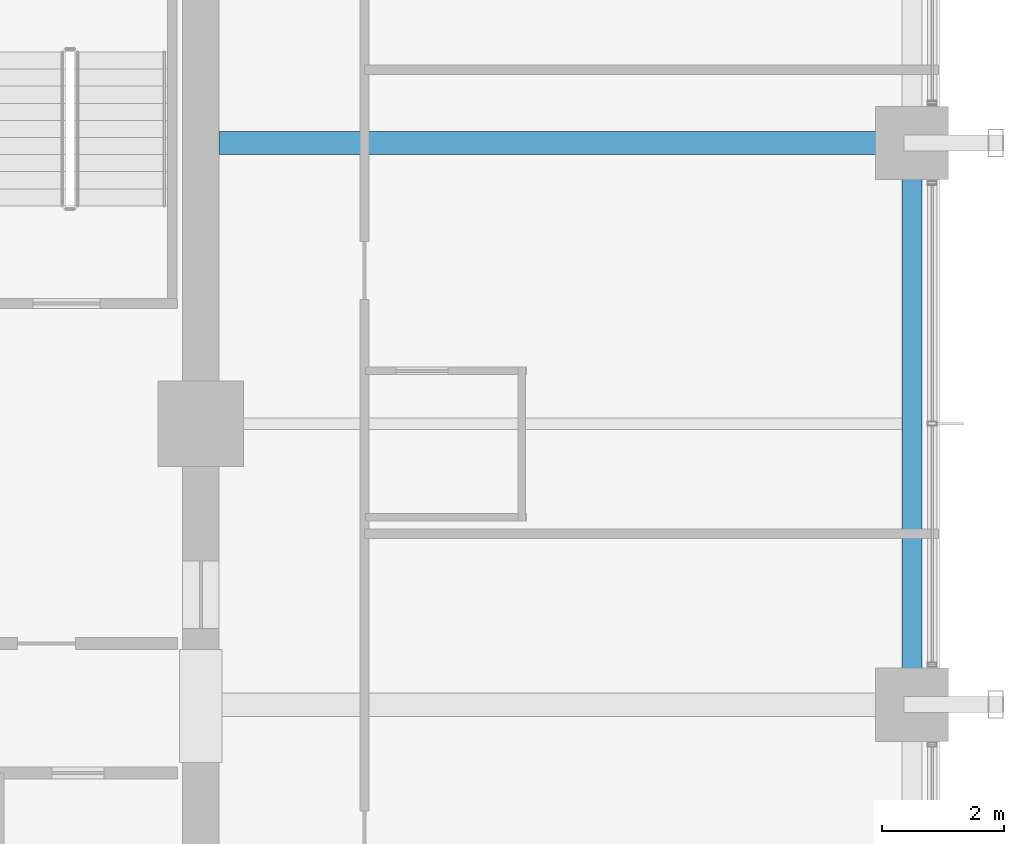
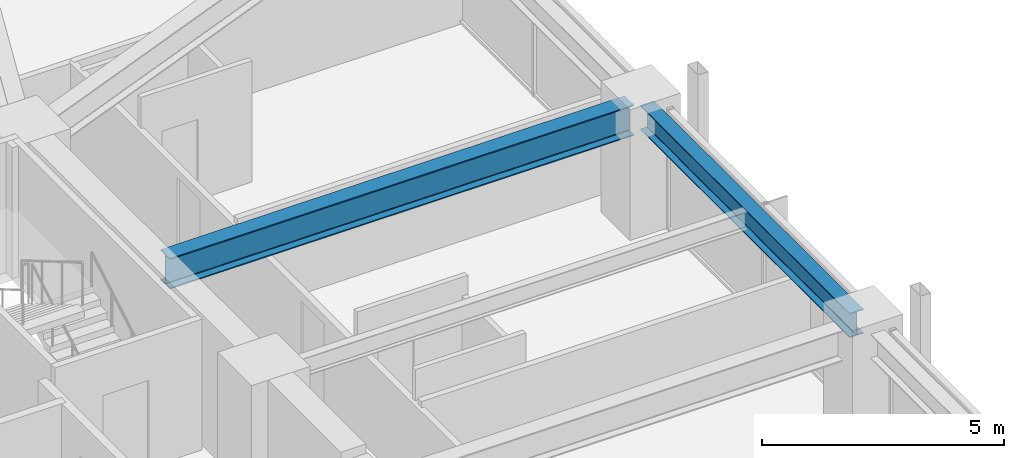
# One storey, part 14 of 38: 2 beams.
"""IFC4 building model written with IfcOpenShell, lengths in metres."""

import ifcopenshell
import ifcopenshell.guid

model = None  # the IFC model being written
_history = None  # IfcOwnerHistory: only IFC2X3 demands one
_inside = {}  # id of a spatial element -> (the spatial element, [elements in it])
_under = {}  # id of a project, library or spatial element -> (it, [spatial elements below it])
_declared = {}  # id of a project -> (the project, [libraries it declares])
_typed = {}  # id of a type object -> (the type object, [elements of that type])
_made_of = {}  # id of a material, layer set ... -> (it, [elements and type objects made of it])


def new_model(schema):
    """Start an empty IFC model of exactly this schema.

    Asked for "IFC4X3", IfcOpenShell would pick the latest addendum, in which some entities
    have other attributes; the version numbers below select the first issue.
    IFC2X3 requires an IfcOwnerHistory on every rooted entity: one is made here for all.
    """
    global model, _history
    if schema == "IFC4X3":
        model = ifcopenshell.file(schema_version=(4, 3, 0, 0))
    else:
        model = ifcopenshell.file(schema=schema)
    _inside.clear()
    _under.clear()
    _declared.clear()
    _typed.clear()
    _made_of.clear()
    _history = None
    if model.schema == "IFC2X3":
        org = make("IfcOrganization", Name="unknown")
        user = make(
            "IfcPersonAndOrganization",
            ThePerson=make("IfcPerson", FamilyName="unknown"),
            TheOrganization=org,
        )
        app = make(
            "IfcApplication",
            ApplicationDeveloper=org,
            Version="unknown",
            ApplicationFullName="unknown",
            ApplicationIdentifier="unknown",
        )
        _history = make(
            "IfcOwnerHistory",
            OwningUser=user,
            OwningApplication=app,
            ChangeAction="ADDED",
            CreationDate=0,
        )
    return model


def make(cls, **values):
    """One entity of the class cls with the attributes given. An attribute that is None is left unset."""
    return model.create_entity(
        cls, **{name: value for name, value in values.items() if value is not None}
    )


def rooted(cls, **values):
    """An entity with a GlobalId (a new one), such as an element, a storey or a relation."""
    return make(cls, GlobalId=ifcopenshell.guid.new(), OwnerHistory=_history, **values)


def si_unit(unit_type, name, prefix=None):
    """IfcSIUnit, for example si_unit("LENGTHUNIT", "METRE", prefix="MILLI")."""
    return make("IfcSIUnit", UnitType=unit_type, Prefix=prefix, Name=name)


def assignment(units):
    """IfcUnitAssignment: the units of a project."""
    return None if units is None else make("IfcUnitAssignment", Units=units)


def point(xyz):
    """IfcCartesianPoint."""
    return None if xyz is None else make("IfcCartesianPoint", Coordinates=xyz)


def direction(xyz):
    """IfcDirection."""
    return None if xyz is None else make("IfcDirection", DirectionRatios=xyz)


def frame(location, z_axis=None, x_axis=None):
    """IfcAxis2Placement3D, a coordinate frame: its origin and axes. An axis left out is left unset."""
    return make(
        "IfcAxis2Placement3D",
        Location=point(location),
        Axis=direction(z_axis),
        RefDirection=direction(x_axis),
    )


def frame_2d(location, x_axis=None):
    """IfcAxis2Placement2D, a coordinate frame in the plane: its origin and x axis."""
    return make(
        "IfcAxis2Placement2D", Location=point(location), RefDirection=direction(x_axis)
    )


def origin():
    """The frame at (0, 0, 0) with its axes left unset."""
    return frame((0.0, 0.0, 0.0))


def origin_2d():
    """The frame at (0, 0) in the plane with its x axis left unset."""
    return frame_2d((0.0, 0.0))


def place(relative_to, where):
    """IfcLocalPlacement: puts the frame where relative to a parent placement (None: the world)."""
    return make(
        "IfcLocalPlacement", PlacementRelTo=relative_to, RelativePlacement=where
    )


def context(
    kind, dimensions, precision=None, world=None, true_north=None, identifier=None
):
    """IfcGeometricRepresentationContext, for example the 3D "Model" context."""
    return make(
        "IfcGeometricRepresentationContext",
        ContextIdentifier=identifier,
        ContextType=kind,
        CoordinateSpaceDimension=dimensions,
        Precision=precision,
        WorldCoordinateSystem=world,
        TrueNorth=true_north,
    )


def subcontext(parent, identifier, kind, view, scale=None):
    """IfcGeometricRepresentationSubContext, for example "Body" below "Model"."""
    return make(
        "IfcGeometricRepresentationSubContext",
        ContextIdentifier=identifier,
        ContextType=kind,
        ParentContext=parent,
        TargetScale=scale,
        TargetView=view,
    )


def project(units=None, contexts=None):
    """IfcProject with its units and contexts."""
    return rooted(
        "IfcProject",
        Name="project",
        RepresentationContexts=contexts,
        UnitsInContext=assignment(units),
    )


def spatial(cls, under=None, at=None, **own):
    """A site, building, storey or space (cls), placed at a placement, below another one or the project."""
    s = rooted(cls, ObjectPlacement=at, **own)
    if under is not None:
        _under.setdefault(under.id(), (under, []))[1].append(s)
    return s


def profile(cls, at=None, kind="AREA", **sizes):
    """A parametric profile (cls). Its sizes go by their IFC names, for example OverallWidth=200.0."""
    return make(cls, ProfileType=kind, Position=at, **sizes)


def i_section(**sizes):
    """IfcIShapeProfileDef."""
    return profile("IfcIShapeProfileDef", **sizes)


def extrude(swept, where, along, depth):
    """IfcExtrudedAreaSolid: the profile swept, set in the frame where, extruded along a direction by depth."""
    return make(
        "IfcExtrudedAreaSolid",
        SweptArea=swept,
        Position=where,
        ExtrudedDirection=direction(along),
        Depth=depth,
    )


def shape(context_of_items, identifier, shape_type, items):
    """IfcShapeRepresentation: the items that make up one representation, for example the "Body"."""
    return make(
        "IfcShapeRepresentation",
        ContextOfItems=context_of_items,
        RepresentationIdentifier=identifier,
        RepresentationType=shape_type,
        Items=items,
    )


def material(Name=None, Category=None):
    """IfcMaterial."""
    return make("IfcMaterial", Name=Name, Category=Category)


def material_profile(
    of_material, cross_section, Name=None, Category=None, Priority=None
):
    """IfcMaterialProfile: a cross section and its material."""
    return make(
        "IfcMaterialProfile",
        Name=Name,
        Material=of_material,
        Profile=cross_section,
        Priority=Priority,
        Category=Category,
    )


def profile_set(profiles, Name=None, composite=None):
    """IfcMaterialProfileSet."""
    return make(
        "IfcMaterialProfileSet",
        Name=Name,
        MaterialProfiles=profiles,
        CompositeProfile=composite,
    )


def made_of(thing, what):
    """Note that an element or type object is made of a material, layer set ...; save() writes the relation."""
    if what is not None:
        _made_of.setdefault(what.id(), (what, []))[1].append(thing)
    return thing


def type_object(cls, material=None, **own):
    """A type object (cls), such as IfcWallType, which elements share."""
    return made_of(rooted(cls, **own), material)


def element(
    cls,
    number,
    at=None,
    inside=None,
    cuts=None,
    type_object=None,
    material=None,
    context=None,
    identifier="Body",
    shape_type=None,
    held_by="IfcProductDefinitionShape",
    body=None,
    shapes=None,
    **own,
):
    """One element of the class cls, such as IfcWall. Its Tag is "e" and its number.

    at: its placement. inside: the storey or other place that contains it. cuts: it is an
    opening in that element (IfcRelVoidsElement). A single representation is given by context,
    identifier, shape_type and body (its items); several are given by shapes. held_by: the class
    of the entity that holds the representations. save() writes the other relations.
    """
    e = rooted(cls, Tag="e%d" % number, ObjectPlacement=at, **own)
    if body is not None:
        shapes = [shape(context, identifier, shape_type, body)]
    if shapes is not None:
        e.Representation = make(held_by, Representations=shapes)
    if inside is not None:
        _inside.setdefault(inside.id(), (inside, []))[1].append(e)
    if cuts is not None:
        rooted(
            "IfcRelVoidsElement", RelatingBuildingElement=cuts, RelatedOpeningElement=e
        )
    if type_object is not None:
        _typed.setdefault(type_object.id(), (type_object, []))[1].append(e)
    return made_of(e, material)


def aggregate(whole, parts):
    """IfcRelAggregates: a whole, such as a stair, and the parts it consists of."""
    return rooted("IfcRelAggregates", RelatingObject=whole, RelatedObjects=parts)


def save(model, path):
    """Write the relations noted so far, then the file.

    IfcRelAggregates (storeys below a building ...), IfcRelContainedInSpatialStructure (elements
    in a storey), IfcRelDefinesByType, IfcRelAssociatesMaterial and IfcRelDeclares: one each for
    every whole, place, type object, material and project.
    """
    for whole, parts in _under.values():
        aggregate(whole, parts)
    for where, things in _inside.values():
        rooted(
            "IfcRelContainedInSpatialStructure",
            RelatedElements=things,
            RelatingStructure=where,
        )
    for kind, things in _typed.values():
        rooted("IfcRelDefinesByType", RelatedObjects=things, RelatingType=kind)
    for what, things in _made_of.values():
        rooted("IfcRelAssociatesMaterial", RelatedObjects=things, RelatingMaterial=what)
    for by, libraries in _declared.values():
        rooted("IfcRelDeclares", RelatingContext=by, RelatedDefinitions=libraries)
    model.write(path)


model = new_model("IFC4")

# Units and contexts
model_context = context("Model", 3, precision=1e-05, world=origin(), true_north=direction((0.0, 1.0)))
body_context = subcontext(model_context, "Body", "Model", "MODEL_VIEW")
ifc_project = project(units=[si_unit("LENGTHUNIT", "METRE"), si_unit("AREAUNIT", "SQUARE_METRE"), si_unit("VOLUMEUNIT", "CUBIC_METRE"), si_unit("PLANEANGLEUNIT", "RADIAN"), si_unit("MASSUNIT", "GRAM", prefix="KILO")], contexts=[model_context])

# Site, building, storey
site_placement = place(None, origin())
site = spatial("IfcSite", under=ifc_project, at=site_placement, CompositionType="ELEMENT")
building_placement = place(site_placement, origin())
building = spatial("IfcBuilding", under=site, at=building_placement, Name="Kolvaren Belvedere", CompositionType="ELEMENT")
storey_placement = place(building_placement, frame((0.0, 0.0, 50.199951171875)))
storey = spatial("IfcBuildingStorey", under=building, at=storey_placement, Name="L14", CompositionType="ELEMENT", Elevation=50.199951171875)

# Beams
ifc_material_1 = material(Name="Structural steel ASTM A992 Grade 50", Category="steel")
ifc_material_profile_1 = material_profile(ifc_material_1, i_section(OverallWidth=0.381103515625, OverallDepth=0.77294921875, WebThickness=0.0166015625, FlangeThickness=0.027099609375, FilletRadius=0.02392578125, at=origin_2d()), Name="W30X173")
ifc_profile_set_1 = profile_set([ifc_material_profile_1], Name="Structural steel ASTM A992 Grade 50")
beam_type_1 = type_object("IfcBeamType", Name="BM-GIRD-W30X173", PredefinedType="BEAM", material=ifc_profile_set_1)
beam_1_placement = place(storey_placement, frame((10.199951171875, 4.60009765625, 2.673583984375), z_axis=(1.0, 0.0, 0.0), x_axis=(0.0, 1.0, 0.0)))
element("IfcBeam", 1, at=beam_1_placement, inside=storey, type_object=beam_type_1, Name="L14 East Radial Girder P", PredefinedType="BEAM", context=body_context, shape_type="SweptSolid", body=[
    extrude(i_section(OverallWidth=0.381103515625, OverallDepth=0.77294921875, WebThickness=0.0166015625, FlangeThickness=0.027099609375, FilletRadius=0.02392578125, at=origin_2d()), origin(), (0.0, 0.0, 1.0), 11.080078125),
])
ifc_material_2 = material(Name="Structural steel ASTM A992 Grade 50", Category="steel")
ifc_material_profile_2 = material_profile(ifc_material_2, i_section(OverallWidth=0.324951171875, OverallDepth=0.615966796875, WebThickness=0.013916015625, FlangeThickness=0.021484375, FilletRadius=0.02001953125, at=origin_2d()), Name="W24X117")
ifc_profile_set_2 = profile_set([ifc_material_profile_2], Name="Structural steel ASTM A992 Grade 50")
beam_type_2 = type_object("IfcBeamType", Name="BM-SPAN-W24X117", PredefinedType="SPANDREL", material=ifc_profile_set_2)
beam_2_placement = place(storey_placement, frame((21.550048828125, -4.330078125, 2.751953125), z_axis=(0.0, 1.0, 0.0), x_axis=(-1.0, 0.0, 0.0)))
element("IfcBeam", 2, at=beam_2_placement, inside=storey, type_object=beam_type_2, Name="L14 Perimeter Spandrel E2-E3", PredefinedType="SPANDREL", context=body_context, shape_type="SweptSolid", body=[
    extrude(i_section(OverallWidth=0.324951171875, OverallDepth=0.615966796875, WebThickness=0.013916015625, FlangeThickness=0.021484375, FilletRadius=0.02001953125, at=origin_2d()), origin(), (0.0, 0.0, 1.0), 8.66015625),
])

save(model, "model.ifc")
